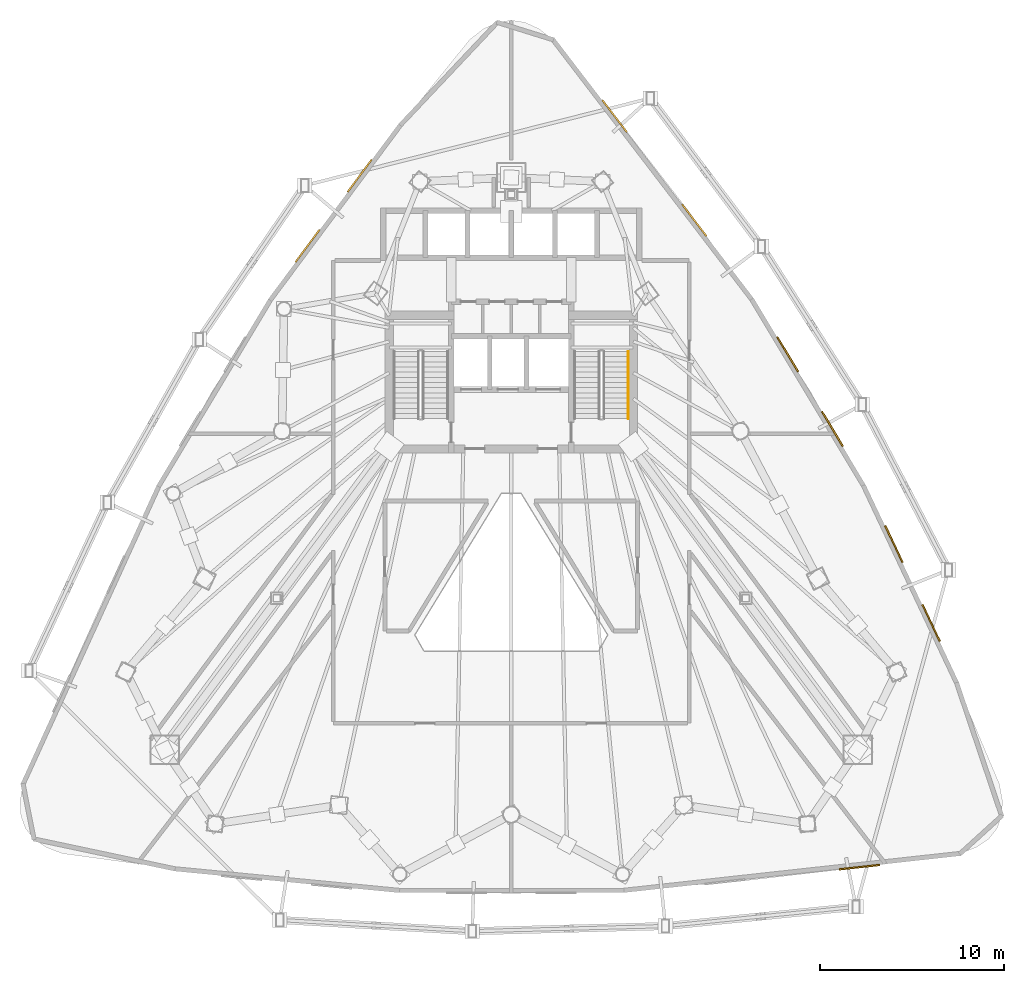
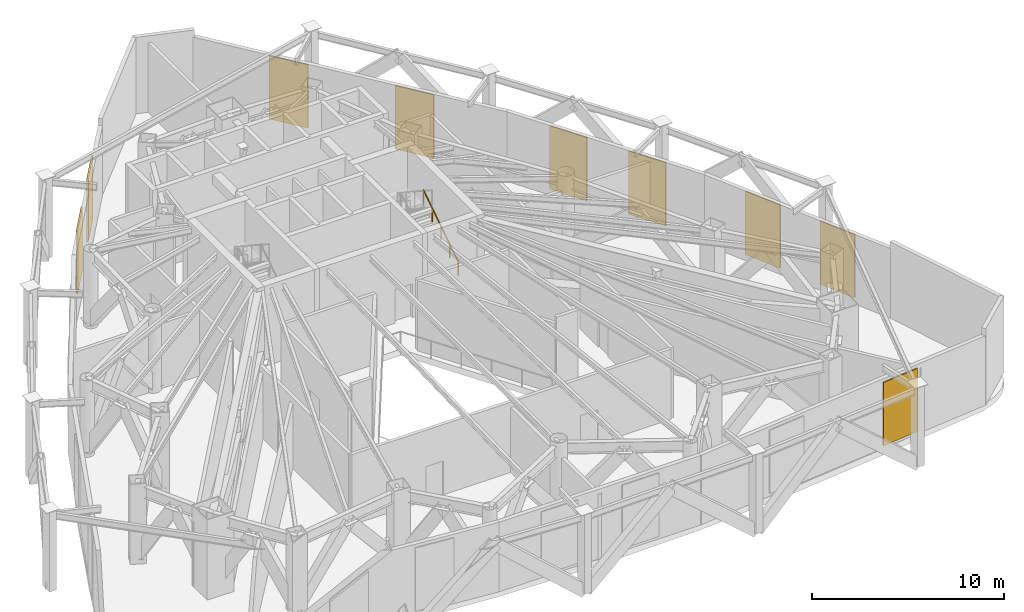
# One storey, part 10 of 10: 9 shading devices, 1 railing.
"""IFC4 building model written with IfcOpenShell, lengths in metres."""

from ifc_helpers import new_model, si_unit, direction, frame, origin, origin_2d, place, context, subcontext, project, spatial, rectangle, circle, extrude, material, layer, layer_set, type_object, element, save


model = new_model("IFC4")

# Units and contexts
model_context = context("Model", 3, precision=1e-05, world=origin(), true_north=direction((0.0, 1.0)))
body_context = subcontext(model_context, "Body", "Model", "MODEL_VIEW")
ifc_project = project(units=[si_unit("LENGTHUNIT", "METRE"), si_unit("AREAUNIT", "SQUARE_METRE"), si_unit("VOLUMEUNIT", "CUBIC_METRE"), si_unit("PLANEANGLEUNIT", "RADIAN"), si_unit("MASSUNIT", "GRAM", prefix="KILO")], contexts=[model_context])

# Site, building, storey
site_placement = place(None, origin())
site = spatial("IfcSite", under=ifc_project, at=site_placement, CompositionType="ELEMENT")
building_placement = place(site_placement, origin())
building = spatial("IfcBuilding", under=site, at=building_placement, Name="Orvanel Arch Residences", CompositionType="ELEMENT")
storey_placement = place(building_placement, frame((0.0, 0.0, 101.60009765625)))
storey = spatial("IfcBuildingStorey", under=building, at=storey_placement, Name="L28", CompositionType="ELEMENT", Elevation=101.60009765625)

# Shading devices
ifc_material_1 = material(Name="Insulated bronze-anodised aluminium spandrel panel", Category="aluminium")
ifc_layer = layer(ifc_material_1, 0.090087890625)
ifc_layer_set = layer_set([ifc_layer], Name="Insulated bronze-anodised aluminium spandrel panel")
shading_device_type = type_object("IfcShadingDeviceType", Name="LVR-PLT-90", PredefinedType="USERDEFINED", material=ifc_layer_set)
for number, where, z_axis, x_axis, name in (
    (1, (24.77587890625, 41.489990234375, 0.199951171875), (0.0, 0.0, 1.0), (-0.596224874966, -0.802817475191, 0.0), "L28 Mechanical Intake Louvre Panel F1-1"),
    (2, (21.950927734375, 37.69189453125, 0.199951171875), (0.0, 0.0, 1.0), (-0.596224874966, -0.802817475191, 0.0), "L28 Mechanical Intake Louvre Panel F1-2"),
    (3, (51.886962890625, 3.992919921875, 0.199951171875), (0.0, 0.0, 1.0), (0.993960955455, 0.109734311091, 0.0), "L28 Mechanical Intake Louvre Panel F2-6"),
    (4, (55.77294921875, 17.235107421875, 0.199951171875), (0.0, 0.0, 1.0), (-0.427357863387, 0.904082549661, 0.0), "L28 Mechanical Intake Louvre Panel F3-1"),
    (5, (53.7529296875, 21.514892578125, 0.199951171875), (0.0, 0.0, 1.0), (-0.427357863387, 0.904082549661, 0.0), "L28 Mechanical Intake Louvre Panel F3-2"),
    (6, (50.4140625, 27.76611328125, 0.199951171875), (0.0, 0.0, 1.0), (-0.51503807491, 0.857167300702, 0.0), "L28 Mechanical Intake Louvre Panel F3-3"),
    (7, (47.991943359375, 31.803955078125, 0.199951171875), (0.0, 0.0, 1.0), (-0.51503807491, 0.857167300702, 0.0), "L28 Mechanical Intake Louvre Panel F3-4"),
    (8, (42.926025390625, 39.080078125, 0.199951171875), (0.0, 0.0, 1.0), (-0.607375839723, 0.794414620535, 0.0), "L28 Mechanical Intake Louvre Panel F3-5"),
    (9, (38.60595703125, 44.72607421875, 0.199951171875), (0.0, 0.0, 1.0), (-0.607375839723, 0.794414620535, 0.0), "L28 Mechanical Intake Louvre Panel F3-6"),
):
    element("IfcShadingDevice", number, at=place(storey_placement, frame(where, z_axis=z_axis, x_axis=x_axis)), inside=storey, type_object=shading_device_type, Name=name, ObjectType="LOUVRE", PredefinedType="USERDEFINED", context=body_context, shape_type="SweptSolid", body=[
        extrude(rectangle(XDim=2.199951171875, YDim=0.090087890625, at=origin_2d()), origin(), (0.0, 0.0, 1.0), 4.02392578125),
    ])

# Railing
ifc_material_2 = material(Name="Structural steel AS/NZS 1163 C350L0 (Grade 350)", Category="steel")
railing_type = type_object("IfcRailingType", Name="RL-STAIR-HAND", PredefinedType="HANDRAIL", material=ifc_material_2)
railing_placement = place(storey_placement, frame((39.35009765625, 28.320068359375, 0.18212890625)))
element("IfcRailing", 10, at=railing_placement, inside=storey, type_object=railing_type, Name="L28 ST-2 stair handrail 1", PredefinedType="HANDRAIL", context=body_context, shape_type="SweptSolid", body=[
    extrude(circle(Radius=0.02392578125, at=origin_2d()), frame((0.0, 0.001220703125, 0.876708984375), z_axis=(0.0, 0.838259873693, 0.545270927297), x_axis=(-1.0, 0.0, 0.0)), (0.0, 0.0, 1.0), 4.339111328125),
    extrude(circle(Radius=0.02099609375, at=origin_2d()), origin(), (0.0, 0.0, 1.0), 0.849853515625),
    extrude(circle(Radius=0.02099609375, at=origin_2d()), frame((0.0, 0.909912109375, 0.591796875)), (0.0, 0.0, 1.0), 0.849853515625),
    extrude(circle(Radius=0.02099609375, at=origin_2d()), frame((0.0, 1.81982421875, 1.183837890625)), (0.0, 0.0, 1.0), 0.849853515625),
    extrude(circle(Radius=0.02099609375, at=origin_2d()), frame((0.0, 2.72998046875, 1.77587890625)), (0.0, 0.0, 1.0), 0.849853515625),
    extrude(circle(Radius=0.02099609375, at=origin_2d()), frame((0.0, 3.639892578125, 2.36767578125)), (0.0, 0.0, 1.0), 0.849853515625),
])

save(model, "model.ifc")
